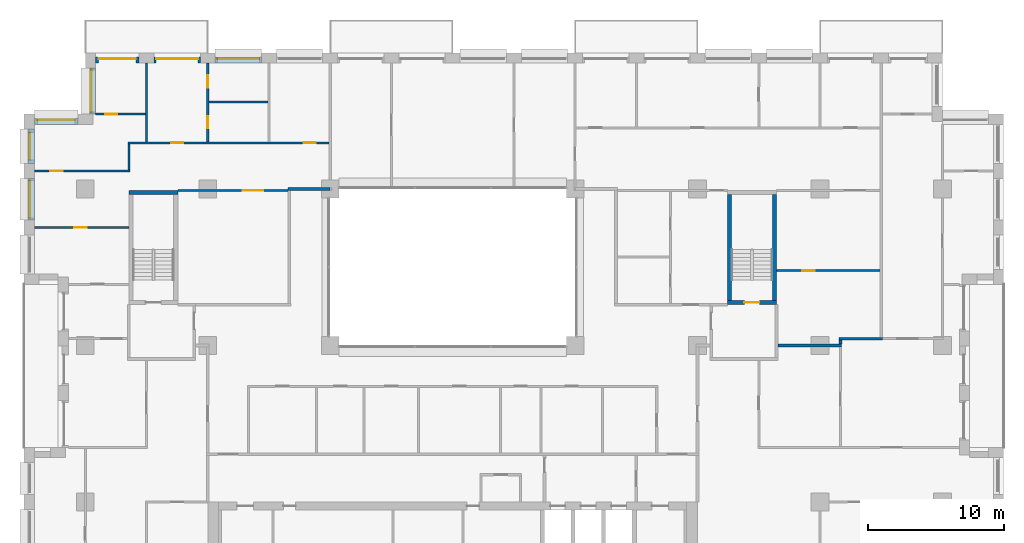
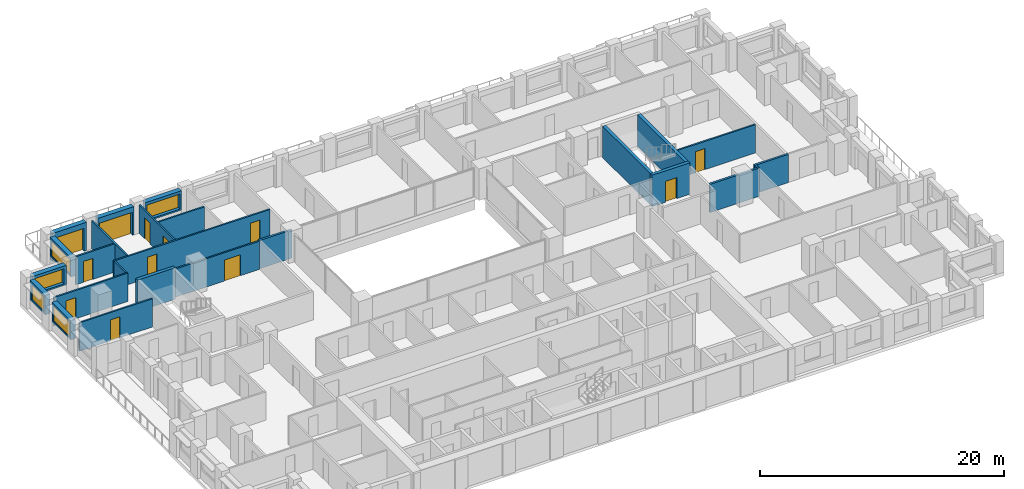
# One storey, part 12 of 16: 25 walls, 12 doors, 5 windows, 17 openings.
"""IFC4 building model written with IfcOpenShell, lengths in metres."""

from ifc_helpers import new_model, si_unit, direction, frame, frame_2d, origin, place, context, subcontext, project, spatial, rectangle, extrude, material, layer, layer_set, type_object, element, fill, save


model = new_model("IFC4")

# Units and contexts
model_context = context("Model", 3, precision=1e-05, world=origin(), true_north=direction((0.0, 1.0)))
body_context = subcontext(model_context, "Body", "Model", "MODEL_VIEW")
ifc_project = project(units=[si_unit("LENGTHUNIT", "METRE"), si_unit("AREAUNIT", "SQUARE_METRE"), si_unit("VOLUMEUNIT", "CUBIC_METRE"), si_unit("PLANEANGLEUNIT", "RADIAN"), si_unit("MASSUNIT", "GRAM", prefix="KILO")], contexts=[model_context])

# Site, building, storey
site_placement = place(None, origin())
site = spatial("IfcSite", under=ifc_project, at=site_placement, CompositionType="ELEMENT")
building_placement = place(site_placement, origin())
building = spatial("IfcBuilding", under=site, at=building_placement, Name="Brigalow Station Residences", CompositionType="ELEMENT")
storey_placement = place(building_placement, frame((0.0, 0.0, 99.300048828125)))
storey = spatial("IfcBuildingStorey", under=building, at=storey_placement, Name="L28", CompositionType="ELEMENT", Elevation=99.300048828125)

# Wall, opening, window
ifc_material_1 = material(Name="Clay brick masonry", Category="masonry")
ifc_layer_1 = layer(ifc_material_1, 0.449951171875)
ifc_layer_set_1 = layer_set([ifc_layer_1], Name="BRICK INFILL WALL 450")
wall_type_1 = type_object("IfcWallType", Name="BRICK INFILL WALL 450", PredefinedType="SOLIDWALL", material=ifc_layer_set_1)
wall_1_placement = place(storey_placement, frame((21.949951171875, 44.97509765625, 0.89990234375), z_axis=(0.0, 0.0, 1.0), x_axis=(-1.0, 0.0, 0.0)))
wall_1 = element("IfcWall", 1, at=wall_1_placement, inside=storey, type_object=wall_type_1, Name="L28/ewall/W-L28-34", PredefinedType="SOLIDWALL", context=body_context, shape_type="SweptSolid", body=[
    extrude(rectangle(XDim=3.39990234375, YDim=0.449951171875, at=frame_2d((1.699951171875, 0.0))), origin(), (0.0, 0.0, 1.0), 1.929931640625),
])
opening_1_placement = place(wall_1_placement, frame((0.14990234375, 0.0, 0.14990234375)))
opening_1 = element("IfcOpeningElement", 2, at=opening_1_placement, cuts=wall_1, Name="Opening WT-8", PredefinedType="OPENING", context=body_context, shape_type="SweptSolid", body=[
    extrude(rectangle(XDim=3.10009765625, YDim=1.5, at=frame_2d((1.550048828125, 0.75))), frame((0.0, 0.23486328125, 0.0), z_axis=(0.0, -1.0, 0.0), x_axis=(1.0, 0.0, 0.0)), (0.0, 0.0, 1.0), 0.469970703125),
])
ifc_material_2 = material(Name="Anodised aluminium frame with double glazing", Category="aluminium")
window_type_1 = type_object("IfcWindowType", Name="WINDOW 3100x1500", PartitioningType="SINGLE_PANEL", PredefinedType="WINDOW", material=ifc_material_2)
window_1_placement = place(opening_1_placement, origin())
window_1 = element("IfcWindow", 3, at=window_1_placement, inside=storey, type_object=window_type_1, Name="L28/window/W-L28-34", OverallHeight=1.5, OverallWidth=3.10009765625, PartitioningType="SINGLE_PANEL", PredefinedType="WINDOW", context=body_context, shape_type="SweptSolid", body=[
    extrude(rectangle(XDim=3.10009765625, YDim=1.5, at=frame_2d((1.550048828125, 0.75))), frame((0.0, -0.06494140625, 0.0), z_axis=(0.0, -1.0, 0.0), x_axis=(1.0, 0.0, 0.0)), (0.0, 0.0, 1.0), 0.06005859375),
])
fill(opening_1, window_1)

# Wall, opening, door
wall_2_placement = place(storey_placement, frame((17.449951171875, 44.97509765625, 0.0), z_axis=(0.0, 0.0, 1.0), x_axis=(-1.0, 0.0, 0.0)))
wall_2 = element("IfcWall", 4, at=wall_2_placement, inside=storey, type_object=wall_type_1, Name="L28/ewall/W-L28-35", PredefinedType="SOLIDWALL", context=body_context, shape_type="SweptSolid", body=[
    extrude(rectangle(XDim=3.39990234375, YDim=0.449951171875, at=frame_2d((1.699951171875, 0.0))), origin(), (0.0, 0.0, 1.0), 2.829833984375),
])
opening_2_placement = place(wall_2_placement, frame((0.14990234375, 0.0, 0.0)))
opening_2 = element("IfcOpeningElement", 5, at=opening_2_placement, cuts=wall_2, Name="Opening D-B3100", PredefinedType="OPENING", context=body_context, shape_type="SweptSolid", body=[
    extrude(rectangle(XDim=3.10009765625, YDim=2.300048828125, at=frame_2d((1.550048828125, 1.14990234375))), frame((0.0, 0.23486328125, 0.0), z_axis=(0.0, -1.0, 0.0), x_axis=(1.0, 0.0, 0.0)), (0.0, 0.0, 1.0), 0.469970703125),
])
ifc_material_3 = material(Name="Anodised aluminium frame with double glazing", Category="aluminium")
door_type_1 = type_object("IfcDoorType", Name="BALCONY SLIDING DOOR 3100x2300", OperationType="SLIDING_TO_LEFT", PredefinedType="DOOR", material=ifc_material_3)
door_1_placement = place(opening_2_placement, origin())
door_1 = element("IfcDoor", 6, at=door_1_placement, inside=storey, type_object=door_type_1, Name="L28/balcony-door/W-L28-35", OperationType="SLIDING_TO_LEFT", OverallHeight=2.300048828125, OverallWidth=3.10009765625, PredefinedType="DOOR", context=body_context, shape_type="SweptSolid", body=[
    extrude(rectangle(XDim=3.10009765625, YDim=2.300048828125, at=frame_2d((1.550048828125, 1.14990234375))), frame((0.0, -0.06982421875, 0.0), z_axis=(0.0, -1.0, 0.0), x_axis=(1.0, 0.0, 0.0)), (0.0, 0.0, 1.0), 0.050048828125),
])
fill(opening_2, door_1)

wall_3_placement = place(storey_placement, frame((12.949951171875, 44.97509765625, 0.0), z_axis=(0.0, 0.0, 1.0), x_axis=(-1.0, 0.0, 0.0)))
wall_3 = element("IfcWall", 7, at=wall_3_placement, inside=storey, type_object=wall_type_1, Name="L28/ewall/W-L28-36", PredefinedType="SOLIDWALL", context=body_context, shape_type="SweptSolid", body=[
    extrude(rectangle(XDim=3.199951171875, YDim=0.449951171875, at=frame_2d((1.60009765625, 0.0))), origin(), (0.0, 0.0, 1.0), 2.829833984375),
])
opening_3_placement = place(wall_3_placement, frame((0.22509765625, 0.0, 0.0)))
opening_3 = element("IfcOpeningElement", 8, at=opening_3_placement, cuts=wall_3, Name="Opening D-B2750", PredefinedType="OPENING", context=body_context, shape_type="SweptSolid", body=[
    extrude(rectangle(XDim=2.75, YDim=2.300048828125, at=frame_2d((1.375, 1.14990234375))), frame((0.0, 0.23486328125, 0.0), z_axis=(0.0, -1.0, 0.0), x_axis=(1.0, 0.0, 0.0)), (0.0, 0.0, 1.0), 0.469970703125),
])
ifc_material_4 = material(Name="Anodised aluminium frame with double glazing", Category="aluminium")
door_type_2 = type_object("IfcDoorType", Name="BALCONY SLIDING DOOR 2750x2300", OperationType="SLIDING_TO_LEFT", PredefinedType="DOOR", material=ifc_material_4)
door_2_placement = place(opening_3_placement, origin())
door_2 = element("IfcDoor", 9, at=door_2_placement, inside=storey, type_object=door_type_2, Name="L28/balcony-door/W-L28-36", OperationType="SLIDING_TO_LEFT", OverallHeight=2.300048828125, OverallWidth=2.75, PredefinedType="DOOR", context=body_context, shape_type="SweptSolid", body=[
    extrude(rectangle(XDim=2.75, YDim=2.300048828125, at=frame_2d((1.375, 1.14990234375))), frame((0.0, -0.06982421875, 0.0), z_axis=(0.0, -1.0, 0.0), x_axis=(1.0, 0.0, 0.0)), (0.0, 0.0, 1.0), 0.050048828125),
])
fill(opening_3, door_2)

# Wall, opening, window
wall_4_placement = place(storey_placement, frame((9.52490234375, 44.39990234375, 0.89990234375), z_axis=(0.0, 0.0, 1.0), x_axis=(0.0, -1.0, 0.0)))
wall_4 = element("IfcWall", 10, at=wall_4_placement, inside=storey, type_object=wall_type_1, Name="L28/ewall/W-L28-37", PredefinedType="SOLIDWALL", context=body_context, shape_type="SweptSolid", body=[
    extrude(rectangle(XDim=3.39990234375, YDim=0.449951171875, at=frame_2d((1.699951171875, 0.0))), origin(), (0.0, 0.0, 1.0), 1.929931640625),
])
opening_4_placement = place(wall_4_placement, frame((0.14990234375, 0.0, 0.14990234375)))
opening_4 = element("IfcOpeningElement", 11, at=opening_4_placement, cuts=wall_4, Name="Opening WT-8", PredefinedType="OPENING", context=body_context, shape_type="SweptSolid", body=[
    extrude(rectangle(XDim=3.10009765625, YDim=1.5, at=frame_2d((1.550048828125, 0.75))), frame((0.0, 0.23486328125, 0.0), z_axis=(0.0, -1.0, 0.0), x_axis=(1.0, 0.0, 0.0)), (0.0, 0.0, 1.0), 0.469970703125),
])
window_2_placement = place(opening_4_placement, origin())
window_2 = element("IfcWindow", 12, at=window_2_placement, inside=storey, type_object=window_type_1, Name="L28/window/W-L28-37", OverallHeight=1.5, OverallWidth=3.10009765625, PartitioningType="SINGLE_PANEL", PredefinedType="WINDOW", context=body_context, shape_type="SweptSolid", body=[
    extrude(rectangle(XDim=3.10009765625, YDim=1.5, at=frame_2d((1.550048828125, 0.75))), frame((0.0, -0.06494140625, 0.0), z_axis=(0.0, -1.0, 0.0), x_axis=(1.0, 0.0, 0.0)), (0.0, 0.0, 1.0), 0.06005859375),
])
fill(opening_4, window_2)

wall_5_placement = place(storey_placement, frame((8.449951171875, 40.47509765625, 0.89990234375), z_axis=(0.0, 0.0, 1.0), x_axis=(-1.0, 0.0, 0.0)))
wall_5 = element("IfcWall", 13, at=wall_5_placement, inside=storey, type_object=wall_type_1, Name="L28/ewall/W-L28-38", PredefinedType="SOLIDWALL", context=body_context, shape_type="SweptSolid", body=[
    extrude(rectangle(XDim=3.199951171875, YDim=0.449951171875, at=frame_2d((1.60009765625, 0.0))), origin(), (0.0, 0.0, 1.0), 1.929931640625),
])
opening_5_placement = place(wall_5_placement, frame((0.22509765625, 0.0, 0.14990234375)))
opening_5 = element("IfcOpeningElement", 14, at=opening_5_placement, cuts=wall_5, Name="Opening WT-3", PredefinedType="OPENING", context=body_context, shape_type="SweptSolid", body=[
    extrude(rectangle(XDim=2.75, YDim=1.5, at=frame_2d((1.375, 0.75))), frame((0.0, 0.23486328125, 0.0), z_axis=(0.0, -1.0, 0.0), x_axis=(1.0, 0.0, 0.0)), (0.0, 0.0, 1.0), 0.469970703125),
])
ifc_material_5 = material(Name="Anodised aluminium frame with double glazing", Category="aluminium")
window_type_2 = type_object("IfcWindowType", Name="WINDOW 2750x1500", PartitioningType="SINGLE_PANEL", PredefinedType="WINDOW", material=ifc_material_5)
window_3_placement = place(opening_5_placement, origin())
window_3 = element("IfcWindow", 15, at=window_3_placement, inside=storey, type_object=window_type_2, Name="L28/window/W-L28-38", OverallHeight=1.5, OverallWidth=2.75, PartitioningType="SINGLE_PANEL", PredefinedType="WINDOW", context=body_context, shape_type="SweptSolid", body=[
    extrude(rectangle(XDim=2.75, YDim=1.5, at=frame_2d((1.375, 0.75))), frame((0.0, -0.06494140625, 0.0), z_axis=(0.0, -1.0, 0.0), x_axis=(1.0, 0.0, 0.0)), (0.0, 0.0, 1.0), 0.06005859375),
])
fill(opening_5, window_3)

wall_6_placement = place(storey_placement, frame((5.02490234375, 39.89990234375, 0.89990234375), z_axis=(0.0, 0.0, 1.0), x_axis=(0.0, -1.0, 0.0)))
wall_6 = element("IfcWall", 16, at=wall_6_placement, inside=storey, type_object=wall_type_1, Name="L28/ewall/W-L28-39", PredefinedType="SOLIDWALL", context=body_context, shape_type="SweptSolid", body=[
    extrude(rectangle(XDim=2.516845703125, YDim=0.449951171875, at=frame_2d((1.25830078125, 0.0))), origin(), (0.0, 0.0, 1.0), 1.929931640625),
])
opening_6_placement = place(wall_6_placement, frame((0.258544921875, 0.0, 0.14990234375)))
opening_6 = element("IfcOpeningElement", 17, at=opening_6_placement, cuts=wall_6, Name="Opening WT-7", PredefinedType="OPENING", context=body_context, shape_type="SweptSolid", body=[
    extrude(rectangle(XDim=2.0, YDim=1.5, at=frame_2d((1.0, 0.75))), frame((0.0, 0.23486328125, 0.0), z_axis=(0.0, -1.0, 0.0), x_axis=(1.0, 0.0, 0.0)), (0.0, 0.0, 1.0), 0.469970703125),
])
ifc_material_6 = material(Name="Anodised aluminium frame with double glazing", Category="aluminium")
window_type_3 = type_object("IfcWindowType", Name="WINDOW 2000x1500", PartitioningType="SINGLE_PANEL", PredefinedType="WINDOW", material=ifc_material_6)
window_4_placement = place(opening_6_placement, origin())
window_4 = element("IfcWindow", 18, at=window_4_placement, inside=storey, type_object=window_type_3, Name="L28/window/W-L28-39", OverallHeight=1.5, OverallWidth=2.0, PartitioningType="SINGLE_PANEL", PredefinedType="WINDOW", context=body_context, shape_type="SweptSolid", body=[
    extrude(rectangle(XDim=2.0, YDim=1.5, at=frame_2d((1.0, 0.75))), frame((0.0, -0.06494140625, 0.0), z_axis=(0.0, -1.0, 0.0), x_axis=(1.0, 0.0, 0.0)), (0.0, 0.0, 1.0), 0.06005859375),
])
fill(opening_6, window_4)

wall_7_placement = place(storey_placement, frame((5.02490234375, 36.282958984375, 0.89990234375), z_axis=(0.0, 0.0, 1.0), x_axis=(0.0, -1.0, 0.0)))
wall_7 = element("IfcWall", 19, at=wall_7_placement, inside=storey, type_object=wall_type_1, Name="L28/ewall/W-L28-40", PredefinedType="SOLIDWALL", context=body_context, shape_type="SweptSolid", body=[
    extrude(rectangle(XDim=3.06591796875, YDim=0.449951171875, at=frame_2d((1.532958984375, 0.0))), origin(), (0.0, 0.0, 1.0), 1.929931640625),
])
opening_7_placement = place(wall_7_placement, frame((0.157958984375, 0.0, 0.14990234375)))
opening_7 = element("IfcOpeningElement", 20, at=opening_7_placement, cuts=wall_7, Name="Opening WT-3", PredefinedType="OPENING", context=body_context, shape_type="SweptSolid", body=[
    extrude(rectangle(XDim=2.75, YDim=1.5, at=frame_2d((1.375, 0.75))), frame((0.0, 0.23486328125, 0.0), z_axis=(0.0, -1.0, 0.0), x_axis=(1.0, 0.0, 0.0)), (0.0, 0.0, 1.0), 0.469970703125),
])
window_5_placement = place(opening_7_placement, origin())
window_5 = element("IfcWindow", 21, at=window_5_placement, inside=storey, type_object=window_type_2, Name="L28/window/W-L28-40", OverallHeight=1.5, OverallWidth=2.75, PartitioningType="SINGLE_PANEL", PredefinedType="WINDOW", context=body_context, shape_type="SweptSolid", body=[
    extrude(rectangle(XDim=2.75, YDim=1.5, at=frame_2d((1.375, 0.75))), frame((0.0, -0.06494140625, 0.0), z_axis=(0.0, -1.0, 0.0), x_axis=(1.0, 0.0, 0.0)), (0.0, 0.0, 1.0), 0.06005859375),
])
fill(opening_7, window_5)

# Wall
ifc_material_7 = material(Name="Concrete C65", Category="concrete")
ifc_layer_2 = layer(ifc_material_7, 0.300048828125)
ifc_layer_set_2 = layer_set([ifc_layer_2], Name="CORE SHEAR WALL 300 C65")
wall_type_2 = type_object("IfcWallType", Name="CORE SHEAR WALL 300 C65", PredefinedType="SHEAR", material=ifc_layer_set_2)
wall_8_placement = place(storey_placement, frame((12.199951171875, 35.25, 0.0), z_axis=(0.0, 0.0, 1.0), x_axis=(1.0, 0.0, 0.0)))
element("IfcWall", 22, at=wall_8_placement, inside=storey, type_object=wall_type_2, Name="CORE WALL ST-S1-N L28", PredefinedType="SHEAR", context=body_context, shape_type="SweptSolid", body=[
    extrude(rectangle(XDim=3.60009765625, YDim=0.300048828125, at=frame_2d((1.800048828125, 0.0))), origin(), (0.0, 0.0, 1.0), 3.14990234375),
])

# Wall, opening, door
wall_9_placement = place(storey_placement, frame((56.199951171875, 27.14990234375, 0.0), z_axis=(0.0, 0.0, 1.0), x_axis=(1.0, 0.0, 0.0)))
wall_9 = element("IfcWall", 23, at=wall_9_placement, inside=storey, type_object=wall_type_2, Name="CORE WALL ST-S3-S L28", PredefinedType="SHEAR", context=body_context, shape_type="SweptSolid", body=[
    extrude(rectangle(XDim=3.60009765625, YDim=0.300048828125, at=frame_2d((1.800048828125, 0.0))), origin(), (0.0, 0.0, 1.0), 3.14990234375),
])
opening_8_placement = place(wall_9_placement, frame((1.25, 0.0, 0.0)))
opening_8 = element("IfcOpeningElement", 24, at=opening_8_placement, cuts=wall_9, Name="Opening D-5018", PredefinedType="OPENING", context=body_context, shape_type="SweptSolid", body=[
    extrude(rectangle(XDim=1.10009765625, YDim=2.10009765625, at=frame_2d((0.550048828125, 1.050048828125))), frame((0.0, 0.16015625, 0.0), z_axis=(0.0, -1.0, 0.0), x_axis=(1.0, 0.0, 0.0)), (0.0, 0.0, 1.0), 0.320068359375),
])
ifc_material_8 = material(Name="Steel fire door leaf in steel frame", Category="steel")
door_type_3 = type_object("IfcDoorType", Name="STAIR DOOR 1100 x 2100 FD60S", OperationType="SINGLE_SWING_LEFT", PredefinedType="DOOR", material=ifc_material_8)
door_3_placement = place(opening_8_placement, origin())
door_3 = element("IfcDoor", 25, at=door_3_placement, inside=storey, type_object=door_type_3, Name="D-5018", OperationType="SINGLE_SWING_LEFT", OverallHeight=2.10009765625, OverallWidth=1.10009765625, PredefinedType="DOOR", context=body_context, shape_type="SweptSolid", body=[
    extrude(rectangle(XDim=1.10009765625, YDim=2.10009765625, at=frame_2d((0.550048828125, 1.050048828125))), frame((0.0, 0.02490234375, 0.0), z_axis=(0.0, -1.0, 0.0), x_axis=(1.0, 0.0, 0.0)), (0.0, 0.0, 1.0), 0.050048828125),
])
fill(opening_8, door_3)

# Walls
for number, where, z_axis, x_axis, name in (
    (26, (56.35009765625, 27.300048828125, 0.0), (0.0, 0.0, 1.0), (0.0, 1.0, 0.0), "CORE WALL ST-S3-W L28"),
    (27, (59.64990234375, 27.300048828125, 0.0), (0.0, 0.0, 1.0), (0.0, 1.0, 0.0), "CORE WALL ST-S3-E L28"),
):
    element("IfcWall", number, at=place(storey_placement, frame(where, z_axis=z_axis, x_axis=x_axis)), inside=storey, type_object=wall_type_2, Name=name, PredefinedType="SHEAR", context=body_context, shape_type="SweptSolid", body=[
        extrude(rectangle(XDim=7.800048828125, YDim=0.300048828125, at=frame_2d((3.89990234375, 0.0))), origin(), (0.0, 0.0, 1.0), 3.14990234375),
    ])

# Wall, opening, door
ifc_material_9 = material(Name="Plasterboard on steel stud partition", Category="steel")
ifc_layer_3 = layer(ifc_material_9, 0.14990234375)
ifc_layer_set_3 = layer_set([ifc_layer_3], Name="FLAT PARTITION 150")
wall_type_3 = type_object("IfcWallType", Name="FLAT PARTITION 150", PredefinedType="PARTITIONING", material=ifc_layer_set_3)
wall_10_placement = place(storey_placement, frame((5.25, 32.6669921875, 0.0), z_axis=(0.0, 0.0, 1.0), x_axis=(1.0, 0.0, 0.0)))
wall_10 = element("IfcWall", 28, at=wall_10_placement, inside=storey, type_object=wall_type_3, Name="PW-2B23", PredefinedType="PARTITIONING", context=body_context, shape_type="SweptSolid", body=[
    extrude(rectangle(XDim=6.949951171875, YDim=0.14990234375, at=frame_2d((3.47509765625, 0.0))), origin(), (0.0, 0.0, 1.0), 2.829833984375),
])
opening_9_placement = place(wall_10_placement, frame((2.949951171875, 0.0, 0.0)))
opening_9 = element("IfcOpeningElement", 29, at=opening_9_placement, cuts=wall_10, Name="Opening D-2B12", PredefinedType="OPENING", context=body_context, shape_type="SweptSolid", body=[
    extrude(rectangle(XDim=0.89990234375, YDim=2.10009765625, at=frame_2d((0.449951171875, 1.050048828125))), frame((0.0, 0.0849609375, 0.0), z_axis=(0.0, -1.0, 0.0), x_axis=(1.0, 0.0, 0.0)), (0.0, 0.0, 1.0), 0.169921875),
])
ifc_material_10 = material(Name="Solid-core timber door leaf", Category="wood")
door_type_4 = type_object("IfcDoorType", Name="INTERNAL DOOR 900 x 2100", OperationType="SINGLE_SWING_LEFT", PredefinedType="DOOR", material=ifc_material_10)
door_4_placement = place(opening_9_placement, frame((0.89990234375, 0.0, 0.0), z_axis=(0.0, 0.0, 1.0), x_axis=(-1.0, 0.0, 0.0)))
door_4 = element("IfcDoor", 30, at=door_4_placement, inside=storey, type_object=door_type_4, Name="D-2B12", OperationType="SINGLE_SWING_RIGHT", OverallHeight=2.10009765625, OverallWidth=0.89990234375, PredefinedType="DOOR", context=body_context, shape_type="SweptSolid", body=[
    extrude(rectangle(XDim=0.89990234375, YDim=2.10009765625, at=frame_2d((0.449951171875, 1.050048828125))), frame((0.0, 0.02490234375, 0.0), z_axis=(0.0, -1.0, 0.0), x_axis=(1.0, 0.0, 0.0)), (0.0, 0.0, 1.0), 0.050048828125),
])
fill(opening_9, door_4)

wall_11_placement = place(storey_placement, frame((5.25, 36.8330078125, 0.0), z_axis=(0.0, 0.0, 1.0), x_axis=(1.0, 0.0, 0.0)))
wall_11 = element("IfcWall", 31, at=wall_11_placement, inside=storey, type_object=wall_type_3, Name="PW-2B24", PredefinedType="PARTITIONING", context=body_context, shape_type="SweptSolid", body=[
    extrude(rectangle(XDim=7.02490234375, YDim=0.14990234375, at=frame_2d((3.512451171875, 0.0))), origin(), (0.0, 0.0, 1.0), 2.829833984375),
])
opening_10_placement = place(wall_11_placement, frame((1.175048828125, 0.0, 0.0)))
opening_10 = element("IfcOpeningElement", 32, at=opening_10_placement, cuts=wall_11, Name="Opening D-2B13", PredefinedType="OPENING", context=body_context, shape_type="SweptSolid", body=[
    extrude(rectangle(XDim=0.89990234375, YDim=2.10009765625, at=frame_2d((0.449951171875, 1.050048828125))), frame((0.0, 0.0849609375, 0.0), z_axis=(0.0, -1.0, 0.0), x_axis=(1.0, 0.0, 0.0)), (0.0, 0.0, 1.0), 0.169921875),
])
door_5_placement = place(opening_10_placement, origin())
door_5 = element("IfcDoor", 33, at=door_5_placement, inside=storey, type_object=door_type_4, Name="D-2B13", OperationType="SINGLE_SWING_LEFT", OverallHeight=2.10009765625, OverallWidth=0.89990234375, PredefinedType="DOOR", context=body_context, shape_type="SweptSolid", body=[
    extrude(rectangle(XDim=0.89990234375, YDim=2.10009765625, at=frame_2d((0.449951171875, 1.050048828125))), frame((0.0, 0.02490234375, 0.0), z_axis=(0.0, -1.0, 0.0), x_axis=(1.0, 0.0, 0.0)), (0.0, 0.0, 1.0), 0.050048828125),
])
fill(opening_10, door_5)

# Wall, openings, doors
wall_12_placement = place(storey_placement, frame((12.125, 38.89990234375, 0.0), z_axis=(0.0, 0.0, 1.0), x_axis=(1.0, 0.0, 0.0)))
wall_12 = element("IfcWall", 34, at=wall_12_placement, inside=storey, type_object=wall_type_3, Name="PW-2B26", PredefinedType="PARTITIONING", context=body_context, shape_type="SweptSolid", body=[
    extrude(rectangle(XDim=14.77490234375, YDim=0.14990234375, at=frame_2d((7.387451171875, 0.0))), origin(), (0.0, 0.0, 1.0), 2.829833984375),
])
opening_11_placement = place(wall_12_placement, frame((3.175048828125, 0.0, 0.0)))
opening_11 = element("IfcOpeningElement", 35, at=opening_11_placement, cuts=wall_12, Name="Opening D-2B15", PredefinedType="OPENING", context=body_context, shape_type="SweptSolid", body=[
    extrude(rectangle(XDim=0.89990234375, YDim=2.10009765625, at=frame_2d((0.449951171875, 1.050048828125))), frame((0.0, 0.0849609375, 0.0), z_axis=(0.0, -1.0, 0.0), x_axis=(1.0, 0.0, 0.0)), (0.0, 0.0, 1.0), 0.169921875),
])
opening_12_placement = place(wall_12_placement, frame((12.925048828125, 0.0, 0.0)))
opening_12 = element("IfcOpeningElement", 36, at=opening_12_placement, cuts=wall_12, Name="Opening D-2B19", PredefinedType="OPENING", context=body_context, shape_type="SweptSolid", body=[
    extrude(rectangle(XDim=0.89990234375, YDim=2.10009765625, at=frame_2d((0.449951171875, 1.050048828125))), frame((0.0, 0.0849609375, 0.0), z_axis=(0.0, -1.0, 0.0), x_axis=(1.0, 0.0, 0.0)), (0.0, 0.0, 1.0), 0.169921875),
])
door_6_placement = place(opening_11_placement, origin())
door_6 = element("IfcDoor", 37, at=door_6_placement, inside=storey, type_object=door_type_4, Name="D-2B15", OperationType="SINGLE_SWING_RIGHT", OverallHeight=2.10009765625, OverallWidth=0.89990234375, PredefinedType="DOOR", context=body_context, shape_type="SweptSolid", body=[
    extrude(rectangle(XDim=0.89990234375, YDim=2.10009765625, at=frame_2d((0.449951171875, 1.050048828125))), frame((0.0, 0.02490234375, 0.0), z_axis=(0.0, -1.0, 0.0), x_axis=(1.0, 0.0, 0.0)), (0.0, 0.0, 1.0), 0.050048828125),
])
fill(opening_11, door_6)
door_7_placement = place(opening_12_placement, origin())
door_7 = element("IfcDoor", 38, at=door_7_placement, inside=storey, type_object=door_type_4, Name="D-2B19", OperationType="SINGLE_SWING_RIGHT", OverallHeight=2.10009765625, OverallWidth=0.89990234375, PredefinedType="DOOR", context=body_context, shape_type="SweptSolid", body=[
    extrude(rectangle(XDim=0.89990234375, YDim=2.10009765625, at=frame_2d((0.449951171875, 1.050048828125))), frame((0.0, 0.02490234375, 0.0), z_axis=(0.0, -1.0, 0.0), x_axis=(1.0, 0.0, 0.0)), (0.0, 0.0, 1.0), 0.050048828125),
])
fill(opening_12, door_7)

# Wall, opening, door
wall_13_placement = place(storey_placement, frame((15.800048828125, 35.39990234375, 0.0), z_axis=(0.0, 0.0, 1.0), x_axis=(1.0, 0.0, 0.0)))
wall_13 = element("IfcWall", 39, at=wall_13_placement, inside=storey, type_object=wall_type_3, Name="PW-2B27", PredefinedType="PARTITIONING", context=body_context, shape_type="SweptSolid", body=[
    extrude(rectangle(XDim=8.099853515625, YDim=0.14990234375, at=frame_2d((4.0498046875, 0.0))), origin(), (0.0, 0.0, 1.0), 2.829833984375),
])
opening_13_placement = place(wall_13_placement, frame((4.77490234375, 0.0, 0.0)))
opening_13 = element("IfcOpeningElement", 40, at=opening_13_placement, cuts=wall_13, Name="Opening D-2B18", PredefinedType="OPENING", context=body_context, shape_type="SweptSolid", body=[
    extrude(rectangle(XDim=1.5, YDim=2.10009765625, at=frame_2d((0.75, 1.050048828125))), frame((0.0, 0.0849609375, 0.0), z_axis=(0.0, -1.0, 0.0), x_axis=(1.0, 0.0, 0.0)), (0.0, 0.0, 1.0), 0.169921875),
])
ifc_material_11 = material(Name="Solid-core timber door leaf", Category="wood")
door_type_5 = type_object("IfcDoorType", Name="INTERNAL DOUBLE DOOR 1500 x 2100", OperationType="DOUBLE_DOOR_SINGLE_SWING", PredefinedType="DOOR", material=ifc_material_11)
door_8_placement = place(opening_13_placement, frame((1.5, 0.0, 0.0), z_axis=(0.0, 0.0, 1.0), x_axis=(-1.0, 0.0, 0.0)))
door_8 = element("IfcDoor", 41, at=door_8_placement, inside=storey, type_object=door_type_5, Name="D-2B18", OperationType="DOUBLE_DOOR_SINGLE_SWING", OverallHeight=2.10009765625, OverallWidth=1.5, PredefinedType="DOOR", context=body_context, shape_type="SweptSolid", body=[
    extrude(rectangle(XDim=1.5, YDim=2.10009765625, at=frame_2d((0.75, 1.050048828125))), frame((0.0, 0.02490234375, 0.0), z_axis=(0.0, -1.0, 0.0), x_axis=(1.0, 0.0, 0.0)), (0.0, 0.0, 1.0), 0.050048828125),
])
fill(opening_13, door_8)

wall_14_placement = place(storey_placement, frame((9.75, 41.0, 0.0), z_axis=(0.0, 0.0, 1.0), x_axis=(1.0, 0.0, 0.0)))
wall_14 = element("IfcWall", 42, at=wall_14_placement, inside=storey, type_object=wall_type_3, Name="PW-2B30", PredefinedType="PARTITIONING", context=body_context, shape_type="SweptSolid", body=[
    extrude(rectangle(XDim=3.675048828125, YDim=0.14990234375, at=frame_2d((1.83740234375, 0.0))), origin(), (0.0, 0.0, 1.0), 2.829833984375),
])
opening_14_placement = place(wall_14_placement, frame((0.699951171875, 0.0, 0.0)))
opening_14 = element("IfcOpeningElement", 43, at=opening_14_placement, cuts=wall_14, Name="Opening D-2B14", PredefinedType="OPENING", context=body_context, shape_type="SweptSolid", body=[
    extrude(rectangle(XDim=0.89990234375, YDim=2.10009765625, at=frame_2d((0.449951171875, 1.050048828125))), frame((0.0, 0.0849609375, 0.0), z_axis=(0.0, -1.0, 0.0), x_axis=(1.0, 0.0, 0.0)), (0.0, 0.0, 1.0), 0.169921875),
])
door_9_placement = place(opening_14_placement, origin())
door_9 = element("IfcDoor", 44, at=door_9_placement, inside=storey, type_object=door_type_4, Name="D-2B14", OperationType="SINGLE_SWING_LEFT", OverallHeight=2.10009765625, OverallWidth=0.89990234375, PredefinedType="DOOR", context=body_context, shape_type="SweptSolid", body=[
    extrude(rectangle(XDim=0.89990234375, YDim=2.10009765625, at=frame_2d((0.449951171875, 1.050048828125))), frame((0.0, 0.02490234375, 0.0), z_axis=(0.0, -1.0, 0.0), x_axis=(1.0, 0.0, 0.0)), (0.0, 0.0, 1.0), 0.050048828125),
])
fill(opening_14, door_9)

# Wall
wall_15_placement = place(storey_placement, frame((18.074951171875, 41.89990234375, 0.0), z_axis=(0.0, 0.0, 1.0), x_axis=(1.0, 0.0, 0.0)))
element("IfcWall", 45, at=wall_15_placement, inside=storey, type_object=wall_type_3, Name="PW-2B32", PredefinedType="PARTITIONING", context=body_context, shape_type="SweptSolid", body=[
    extrude(rectangle(XDim=4.35009765625, YDim=0.14990234375, at=frame_2d((2.175048828125, 0.0))), origin(), (0.0, 0.0, 1.0), 2.829833984375),
])

# Wall, opening, door
wall_16_placement = place(storey_placement, frame((59.800048828125, 29.5, 0.0), z_axis=(0.0, 0.0, 1.0), x_axis=(1.0, 0.0, 0.0)))
wall_16 = element("IfcWall", 46, at=wall_16_placement, inside=storey, type_object=wall_type_3, Name="PW-2B35", PredefinedType="PARTITIONING", context=body_context, shape_type="SweptSolid", body=[
    extrude(rectangle(XDim=7.599853515625, YDim=0.14990234375, at=frame_2d((3.7998046875, 0.0))), origin(), (0.0, 0.0, 1.0), 2.829833984375),
])
opening_15_placement = place(wall_16_placement, frame((1.89990234375, 0.0, 0.0)))
opening_15 = element("IfcOpeningElement", 47, at=opening_15_placement, cuts=wall_16, Name="Opening D-2B32", PredefinedType="OPENING", context=body_context, shape_type="SweptSolid", body=[
    extrude(rectangle(XDim=0.89990234375, YDim=2.10009765625, at=frame_2d((0.449951171875, 1.050048828125))), frame((0.0, 0.0849609375, 0.0), z_axis=(0.0, -1.0, 0.0), x_axis=(1.0, 0.0, 0.0)), (0.0, 0.0, 1.0), 0.169921875),
])
door_10_placement = place(opening_15_placement, frame((0.89990234375, 0.0, 0.0), z_axis=(0.0, 0.0, 1.0), x_axis=(-1.0, 0.0, 0.0)))
door_10 = element("IfcDoor", 48, at=door_10_placement, inside=storey, type_object=door_type_4, Name="D-2B32", OperationType="SINGLE_SWING_RIGHT", OverallHeight=2.10009765625, OverallWidth=0.89990234375, PredefinedType="DOOR", context=body_context, shape_type="SweptSolid", body=[
    extrude(rectangle(XDim=0.89990234375, YDim=2.10009765625, at=frame_2d((0.449951171875, 1.050048828125))), frame((0.0, 0.02490234375, 0.0), z_axis=(0.0, -1.0, 0.0), x_axis=(1.0, 0.0, 0.0)), (0.0, 0.0, 1.0), 0.050048828125),
])
fill(opening_15, door_10)

# Wall, openings, doors
wall_17_placement = place(storey_placement, frame((18.0, 38.97509765625, 0.0), z_axis=(0.0, 0.0, 1.0), x_axis=(0.0, 1.0, 0.0)))
wall_17 = element("IfcWall", 49, at=wall_17_placement, inside=storey, type_object=wall_type_3, Name="PW-2B38", PredefinedType="PARTITIONING", context=body_context, shape_type="SweptSolid", body=[
    extrude(rectangle(XDim=5.77490234375, YDim=0.14990234375, at=frame_2d((2.887451171875, 0.0))), origin(), (0.0, 0.0, 1.0), 2.829833984375),
])
opening_16_placement = place(wall_17_placement, frame((0.97509765625, 0.0, 0.0)))
opening_16 = element("IfcOpeningElement", 50, at=opening_16_placement, cuts=wall_17, Name="Opening D-2B16", PredefinedType="OPENING", context=body_context, shape_type="SweptSolid", body=[
    extrude(rectangle(XDim=0.89990234375, YDim=2.10009765625, at=frame_2d((0.449951171875, 1.050048828125))), frame((0.0, 0.0849609375, 0.0), z_axis=(0.0, -1.0, 0.0), x_axis=(1.0, 0.0, 0.0)), (0.0, 0.0, 1.0), 0.169921875),
])
opening_17_placement = place(wall_17_placement, frame((3.97509765625, 0.0, 0.0)))
opening_17 = element("IfcOpeningElement", 51, at=opening_17_placement, cuts=wall_17, Name="Opening D-2B17", PredefinedType="OPENING", context=body_context, shape_type="SweptSolid", body=[
    extrude(rectangle(XDim=0.89990234375, YDim=2.10009765625, at=frame_2d((0.449951171875, 1.050048828125))), frame((0.0, 0.0849609375, 0.0), z_axis=(0.0, -1.0, 0.0), x_axis=(1.0, 0.0, 0.0)), (0.0, 0.0, 1.0), 0.169921875),
])
door_11_placement = place(opening_16_placement, frame((0.89990234375, 0.0, 0.0), z_axis=(0.0, 0.0, 1.0), x_axis=(-1.0, 0.0, 0.0)))
door_11 = element("IfcDoor", 52, at=door_11_placement, inside=storey, type_object=door_type_4, Name="D-2B16", OperationType="SINGLE_SWING_RIGHT", OverallHeight=2.10009765625, OverallWidth=0.89990234375, PredefinedType="DOOR", context=body_context, shape_type="SweptSolid", body=[
    extrude(rectangle(XDim=0.89990234375, YDim=2.10009765625, at=frame_2d((0.449951171875, 1.050048828125))), frame((0.0, 0.02490234375, 0.0), z_axis=(0.0, -1.0, 0.0), x_axis=(1.0, 0.0, 0.0)), (0.0, 0.0, 1.0), 0.050048828125),
])
fill(opening_16, door_11)
door_12_placement = place(opening_17_placement, frame((0.89990234375, 0.0, 0.0), z_axis=(0.0, 0.0, 1.0), x_axis=(-1.0, 0.0, 0.0)))
door_12 = element("IfcDoor", 53, at=door_12_placement, inside=storey, type_object=door_type_4, Name="D-2B17", OperationType="SINGLE_SWING_LEFT", OverallHeight=2.10009765625, OverallWidth=0.89990234375, PredefinedType="DOOR", context=body_context, shape_type="SweptSolid", body=[
    extrude(rectangle(XDim=0.89990234375, YDim=2.10009765625, at=frame_2d((0.449951171875, 1.050048828125))), frame((0.0, 0.02490234375, 0.0), z_axis=(0.0, -1.0, 0.0), x_axis=(1.0, 0.0, 0.0)), (0.0, 0.0, 1.0), 0.050048828125),
])
fill(opening_17, door_12)

# Walls
wall_18_placement = place(storey_placement, frame((13.5, 38.97509765625, 0.0), z_axis=(0.0, 0.0, 1.0), x_axis=(0.0, 1.0, 0.0)))
element("IfcWall", 54, at=wall_18_placement, inside=storey, type_object=wall_type_3, Name="PW-2B48", PredefinedType="PARTITIONING", context=body_context, shape_type="SweptSolid", body=[
    extrude(rectangle(XDim=5.77490234375, YDim=0.14990234375, at=frame_2d((2.887451171875, 0.0))), origin(), (0.0, 0.0, 1.0), 2.829833984375),
])
wall_19_placement = place(storey_placement, frame((12.199951171875, 36.907958984375, 0.0), z_axis=(0.0, 0.0, 1.0), x_axis=(0.0, 1.0, 0.0)))
element("IfcWall", 55, at=wall_19_placement, inside=storey, type_object=wall_type_3, Name="PW-2B50", PredefinedType="PARTITIONING", context=body_context, shape_type="SweptSolid", body=[
    extrude(rectangle(XDim=1.9169921875, YDim=0.14990234375, at=frame_2d((0.95849609375, 0.0))), origin(), (0.0, 0.0, 1.0), 2.829833984375),
])
ifc_material_12 = material(Name="Plasterboard on steel stud partition", Category="steel")
ifc_layer_4 = layer(ifc_material_12, 0.199951171875)
ifc_layer_set_4 = layer_set([ifc_layer_4], Name="PARTY AND CORRIDOR WALL 200")
wall_type_4 = type_object("IfcWallType", Name="PARTY AND CORRIDOR WALL 200", PredefinedType="PARTITIONING", material=ifc_layer_set_4)
wall_20_placement = place(storey_placement, frame((59.89990234375, 24.0, 0.0), z_axis=(0.0, 0.0, 1.0), x_axis=(1.0, 0.0, 0.0)))
element("IfcWall", 56, at=wall_20_placement, inside=storey, type_object=wall_type_4, Name="PW-2B04", PredefinedType="PARTITIONING", context=body_context, shape_type="SweptSolid", body=[
    extrude(rectangle(XDim=4.675048828125, YDim=0.199951171875, at=frame_2d((2.33740234375, 0.0))), origin(), (0.0, 0.0, 1.0), 2.829833984375),
])
wall_21_placement = place(storey_placement, frame((23.89990234375, 35.5, 0.0), z_axis=(0.0, 0.0, 1.0), x_axis=(1.0, 0.0, 0.0)))
element("IfcWall", 57, at=wall_21_placement, inside=storey, type_object=wall_type_4, Name="PW-2B07", PredefinedType="PARTITIONING", context=body_context, shape_type="SweptSolid", body=[
    extrude(rectangle(XDim=3.10009765625, YDim=0.199951171875, at=frame_2d((1.550048828125, 0.0))), origin(), (0.0, 0.0, 1.0), 2.829833984375),
])
wall_22_placement = place(storey_placement, frame((64.39990234375, 24.5, 0.0), z_axis=(0.0, 0.0, 1.0), x_axis=(1.0, 0.0, 0.0)))
element("IfcWall", 58, at=wall_22_placement, inside=storey, type_object=wall_type_4, Name="PW-2B20", PredefinedType="PARTITIONING", context=body_context, shape_type="SweptSolid", body=[
    extrude(rectangle(XDim=3.2001953125, YDim=0.199951171875, at=frame_2d((1.60009765625, 0.0))), origin(), (0.0, 0.0, 1.0), 2.829833984375),
])
wall_23_placement = place(storey_placement, frame((64.5, 24.10009765625, 0.0), z_axis=(0.0, 0.0, 1.0), x_axis=(0.0, 1.0, 0.0)))
element("IfcWall", 59, at=wall_23_placement, inside=storey, type_object=wall_type_4, Name="PW-2B66", PredefinedType="PARTITIONING", context=body_context, shape_type="SweptSolid", body=[
    extrude(rectangle(XDim=0.2998046875, YDim=0.199951171875, at=frame_2d((0.14990234375, 0.0))), origin(), (0.0, 0.0, 1.0), 2.829833984375),
])

save(model, "model.ifc")
